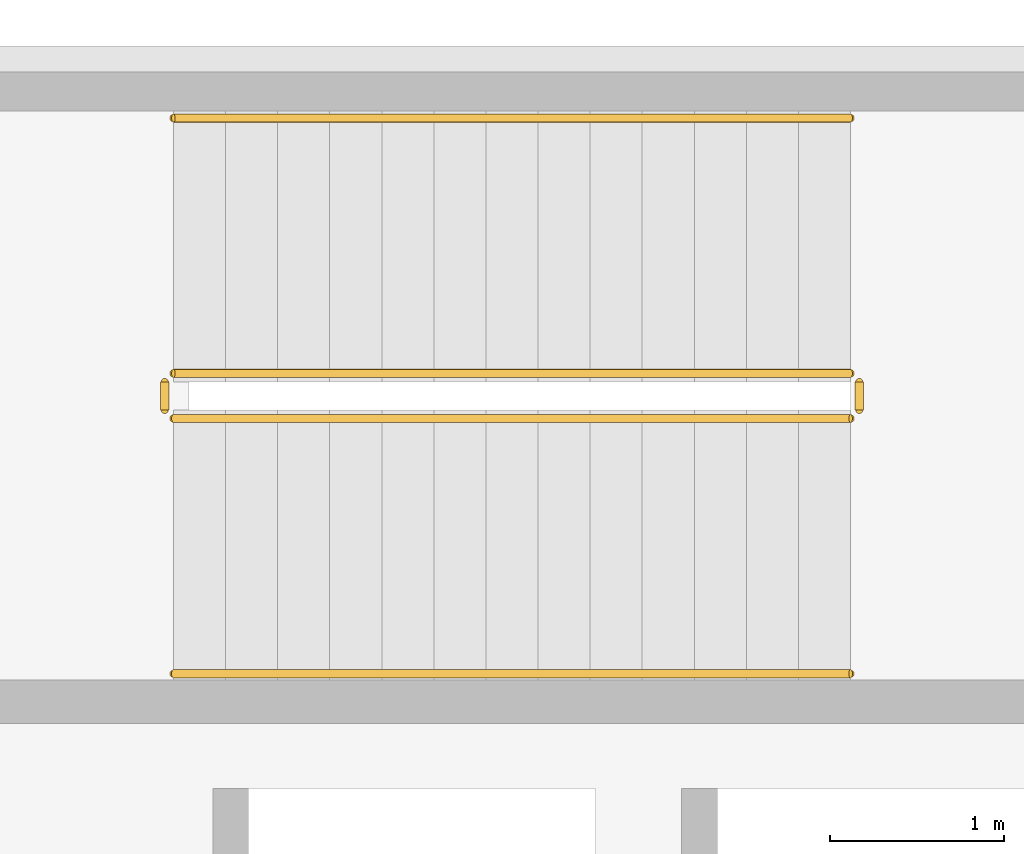
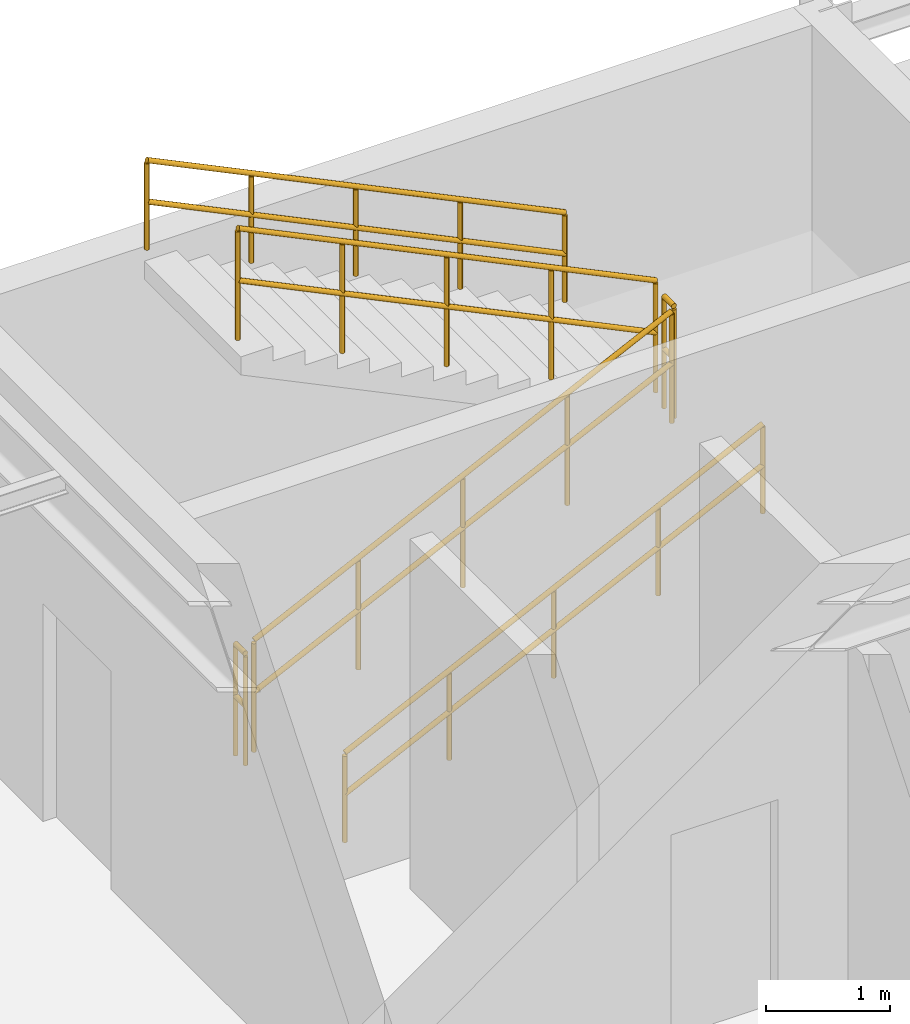
# One storey, part 66 of 70: 6 railings.
"""IFC4 building model written with IfcOpenShell, lengths in metres."""

from ifc_helpers import new_model, si_unit, derived_unit, direction, frame, origin, origin_2d, place, context, subcontext, project, spatial, circle, extrude, material, type_object, element, save


model = new_model("IFC4")

# Units and contexts
model_context = context("Model", 3, precision=1e-05, world=origin(), true_north=direction((0.0, 1.0)))
body_context = subcontext(model_context, "Body", "Model", "MODEL_VIEW")
ifc_project = project(units=[si_unit("LENGTHUNIT", "METRE"), si_unit("AREAUNIT", "SQUARE_METRE"), si_unit("VOLUMEUNIT", "CUBIC_METRE"), si_unit("PLANEANGLEUNIT", "RADIAN"), si_unit("MASSUNIT", "GRAM", prefix="KILO"), derived_unit("THERMALTRANSMITTANCEUNIT", [(si_unit("POWERUNIT", "WATT"), 1), (si_unit("AREAUNIT", "SQUARE_METRE"), -1), (si_unit("THERMODYNAMICTEMPERATUREUNIT", "KELVIN"), -1)])], contexts=[model_context])

# Site, building, storey
site_placement = place(None, origin())
site = spatial("IfcSite", under=ifc_project, at=site_placement, CompositionType="ELEMENT")
building_placement = place(site_placement, origin())
building = spatial("IfcBuilding", under=site, at=building_placement, Name="Yasenodar Specialist Clinic", CompositionType="ELEMENT")
storey_placement = place(building_placement, frame((0.0, 0.0, 13.199951171875)))
storey = spatial("IfcBuildingStorey", under=building, at=storey_placement, Name="L03", CompositionType="ELEMENT", Elevation=13.199951171875)

# Railings
ifc_material_1 = material(Name="Steel S355 Painted Stair Guardrail", Category="steel")
railing_type_1 = type_object("IfcRailingType", Name="RL-ST-GRD", PredefinedType="GUARDRAIL", material=ifc_material_1)
railing_1_placement = place(storey_placement, frame((58.8701171875, 109.530029296875, 0.144775390625)))
element("IfcRailing", 1, at=railing_1_placement, inside=storey, type_object=railing_type_1, Name="L03 ST-04 stair guard 1", PredefinedType="GUARDRAIL", context=body_context, shape_type="SweptSolid", body=[
    extrude(circle(Radius=0.02392578125, at=origin_2d()), frame((0.0, 0.0, 1.09619140625), z_axis=(0.900763166376, 0.0, 0.434310623978), x_axis=(0.0, 1.0, 0.0)), (0.0, 0.0, 1.0), 4.32958984375),
    extrude(circle(Radius=0.02392578125, at=origin_2d()), frame((0.0, 0.0, 0.58251953125), z_axis=(0.900763166376, 0.0, 0.434310623978), x_axis=(0.0, 1.0, 0.0)), (0.0, 0.0, 1.0), 4.32958984375),
    extrude(circle(Radius=0.02099609375, at=origin_2d()), origin(), (0.0, 0.0, 1.0), 1.072021484375),
    extrude(circle(Radius=0.02099609375, at=origin_2d()), frame((0.97509765625, 0.0, 0.47021484375)), (0.0, 0.0, 1.0), 1.072021484375),
    extrude(circle(Radius=0.02099609375, at=origin_2d()), frame((1.949951171875, 0.0, 0.940185546875)), (0.0, 0.0, 1.0), 1.072021484375),
    extrude(circle(Radius=0.02099609375, at=origin_2d()), frame((2.9248046875, 0.0, 1.41015625)), (0.0, 0.0, 1.0), 1.072021484375),
    extrude(circle(Radius=0.02099609375, at=origin_2d()), frame((3.89990234375, 0.0, 1.88037109375)), (0.0, 0.0, 1.0), 1.072021484375),
])
railing_2_placement = place(storey_placement, frame((62.820068359375, 109.580078125, 2.025146484375)))
element("IfcRailing", 2, at=railing_2_placement, inside=storey, type_object=railing_type_1, Name="L03 ST-04 stair guard 2", PredefinedType="GUARDRAIL", context=body_context, shape_type="SweptSolid", body=[
    extrude(circle(Radius=0.02392578125, at=origin_2d()), frame((0.0, 0.0, 1.09619140625), z_axis=(0.0, 1.0, 0.0), x_axis=(-1.0, 0.0, 0.0)), (0.0, 0.0, 1.0), 0.159912109375),
    extrude(circle(Radius=0.02392578125, at=origin_2d()), frame((0.0, 0.0, 0.58251953125), z_axis=(0.0, 1.0, 0.0), x_axis=(-1.0, 0.0, 0.0)), (0.0, 0.0, 1.0), 0.159912109375),
    extrude(circle(Radius=0.02099609375, at=origin_2d()), origin(), (0.0, 0.0, 1.0), 1.072021484375),
    extrude(circle(Radius=0.02099609375, at=origin_2d()), frame((0.0, 0.159912109375, 0.0)), (0.0, 0.0, 1.0), 1.072021484375),
])
railing_3_placement = place(storey_placement, frame((62.77001953125, 109.7900390625, 2.169677734375)))
element("IfcRailing", 3, at=railing_3_placement, inside=storey, type_object=railing_type_1, Name="L03 ST-04 stair guard 3", PredefinedType="GUARDRAIL", context=body_context, shape_type="SweptSolid", body=[
    extrude(circle(Radius=0.02392578125, at=origin_2d()), frame((0.0, 0.0, 1.09619140625), z_axis=(-0.900763166376, 0.0, 0.434310623978), x_axis=(0.0, -1.0, 0.0)), (0.0, 0.0, 1.0), 4.32958984375),
    extrude(circle(Radius=0.02392578125, at=origin_2d()), frame((0.0, 0.0, 0.58251953125), z_axis=(-0.900763166376, 0.0, 0.434310623978), x_axis=(0.0, -1.0, 0.0)), (0.0, 0.0, 1.0), 4.32958984375),
    extrude(circle(Radius=0.02099609375, at=origin_2d()), origin(), (0.0, 0.0, 1.0), 1.072021484375),
    extrude(circle(Radius=0.02099609375, at=origin_2d()), frame((-0.97509765625, 0.0, 0.47021484375)), (0.0, 0.0, 1.0), 1.072021484375),
    extrude(circle(Radius=0.02099609375, at=origin_2d()), frame((-1.949951171875, 0.0, 0.940185546875)), (0.0, 0.0, 1.0), 1.072021484375),
    extrude(circle(Radius=0.02099609375, at=origin_2d()), frame((-2.9248046875, 0.0, 1.41015625)), (0.0, 0.0, 1.0), 1.072021484375),
    extrude(circle(Radius=0.02099609375, at=origin_2d()), frame((-3.89990234375, 0.0, 1.88037109375)), (0.0, 0.0, 1.0), 1.072021484375),
])
railing_4_placement = place(storey_placement, frame((58.820068359375, 109.580078125, 0.0)))
element("IfcRailing", 4, at=railing_4_placement, inside=storey, type_object=railing_type_1, Name="L03 ST-04 stair guard 4", PredefinedType="GUARDRAIL", context=body_context, shape_type="SweptSolid", body=[
    extrude(circle(Radius=0.02392578125, at=origin_2d()), frame((0.0, 0.0, 1.09619140625), z_axis=(0.0, 1.0, 0.0), x_axis=(-1.0, 0.0, 0.0)), (0.0, 0.0, 1.0), 0.159912109375),
    extrude(circle(Radius=0.02392578125, at=origin_2d()), frame((0.0, 0.0, 0.58251953125), z_axis=(0.0, 1.0, 0.0), x_axis=(-1.0, 0.0, 0.0)), (0.0, 0.0, 1.0), 0.159912109375),
    extrude(circle(Radius=0.02099609375, at=origin_2d()), origin(), (0.0, 0.0, 1.0), 1.072021484375),
    extrude(circle(Radius=0.02099609375, at=origin_2d()), frame((0.0, 0.159912109375, 0.0)), (0.0, 0.0, 1.0), 1.072021484375),
])
ifc_material_2 = material(Name="Brushed Stainless Steel Handrail", Category="steel")
railing_type_2 = type_object("IfcRailingType", Name="RL-ST-HND", PredefinedType="HANDRAIL", material=ifc_material_2)
railing_5_placement = place(storey_placement, frame((58.8701171875, 108.06005859375, 0.144775390625)))
element("IfcRailing", 5, at=railing_5_placement, inside=storey, type_object=railing_type_2, Name="L03 ST-04 stair handrail 1", PredefinedType="HANDRAIL", context=body_context, shape_type="SweptSolid", body=[
    extrude(circle(Radius=0.02392578125, at=origin_2d()), frame((0.0, 0.0, 0.8759765625), z_axis=(0.900763166376, 0.0, 0.434310623978), x_axis=(0.0, 1.0, 0.0)), (0.0, 0.0, 1.0), 4.32958984375),
    extrude(circle(Radius=0.02392578125, at=origin_2d()), frame((0.0, 0.0, 0.468017578125), z_axis=(0.900763166376, 0.0, 0.434310623978), x_axis=(0.0, 1.0, 0.0)), (0.0, 0.0, 1.0), 4.32958984375),
    extrude(circle(Radius=0.02099609375, at=origin_2d()), origin(), (0.0, 0.0, 1.0), 0.851806640625),
    extrude(circle(Radius=0.02099609375, at=origin_2d()), frame((0.97509765625, 0.0, 0.47021484375)), (0.0, 0.0, 1.0), 0.851806640625),
    extrude(circle(Radius=0.02099609375, at=origin_2d()), frame((1.949951171875, 0.0, 0.940185546875)), (0.0, 0.0, 1.0), 0.851806640625),
    extrude(circle(Radius=0.02099609375, at=origin_2d()), frame((2.9248046875, 0.0, 1.41015625)), (0.0, 0.0, 1.0), 0.851806640625),
    extrude(circle(Radius=0.02099609375, at=origin_2d()), frame((3.89990234375, 0.0, 1.88037109375)), (0.0, 0.0, 1.0), 0.851806640625),
])
railing_6_placement = place(storey_placement, frame((62.77001953125, 111.260009765625, 2.169677734375)))
element("IfcRailing", 6, at=railing_6_placement, inside=storey, type_object=railing_type_2, Name="L03 ST-04 stair handrail 2", PredefinedType="HANDRAIL", context=body_context, shape_type="SweptSolid", body=[
    extrude(circle(Radius=0.02392578125, at=origin_2d()), frame((0.0, 0.0, 0.8759765625), z_axis=(-0.900763166376, 0.0, 0.434310623978), x_axis=(0.0, -1.0, 0.0)), (0.0, 0.0, 1.0), 4.32958984375),
    extrude(circle(Radius=0.02392578125, at=origin_2d()), frame((0.0, 0.0, 0.468017578125), z_axis=(-0.900763166376, 0.0, 0.434310623978), x_axis=(0.0, -1.0, 0.0)), (0.0, 0.0, 1.0), 4.32958984375),
    extrude(circle(Radius=0.02099609375, at=origin_2d()), origin(), (0.0, 0.0, 1.0), 0.851806640625),
    extrude(circle(Radius=0.02099609375, at=origin_2d()), frame((-0.97509765625, 0.0, 0.47021484375)), (0.0, 0.0, 1.0), 0.851806640625),
    extrude(circle(Radius=0.02099609375, at=origin_2d()), frame((-1.949951171875, 0.0, 0.940185546875)), (0.0, 0.0, 1.0), 0.851806640625),
    extrude(circle(Radius=0.02099609375, at=origin_2d()), frame((-2.9248046875, 0.0, 1.41015625)), (0.0, 0.0, 1.0), 0.851806640625),
    extrude(circle(Radius=0.02099609375, at=origin_2d()), frame((-3.89990234375, 0.0, 1.88037109375)), (0.0, 0.0, 1.0), 0.851806640625),
])

save(model, "model.ifc")
